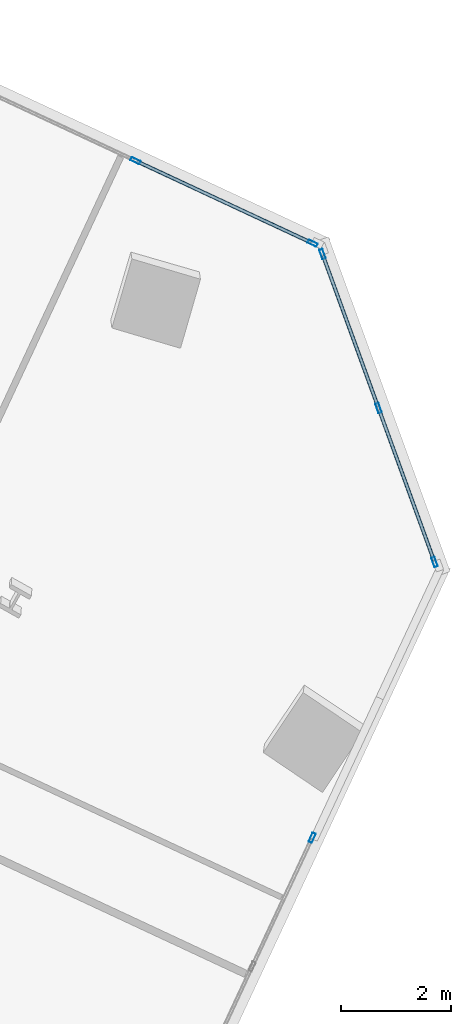
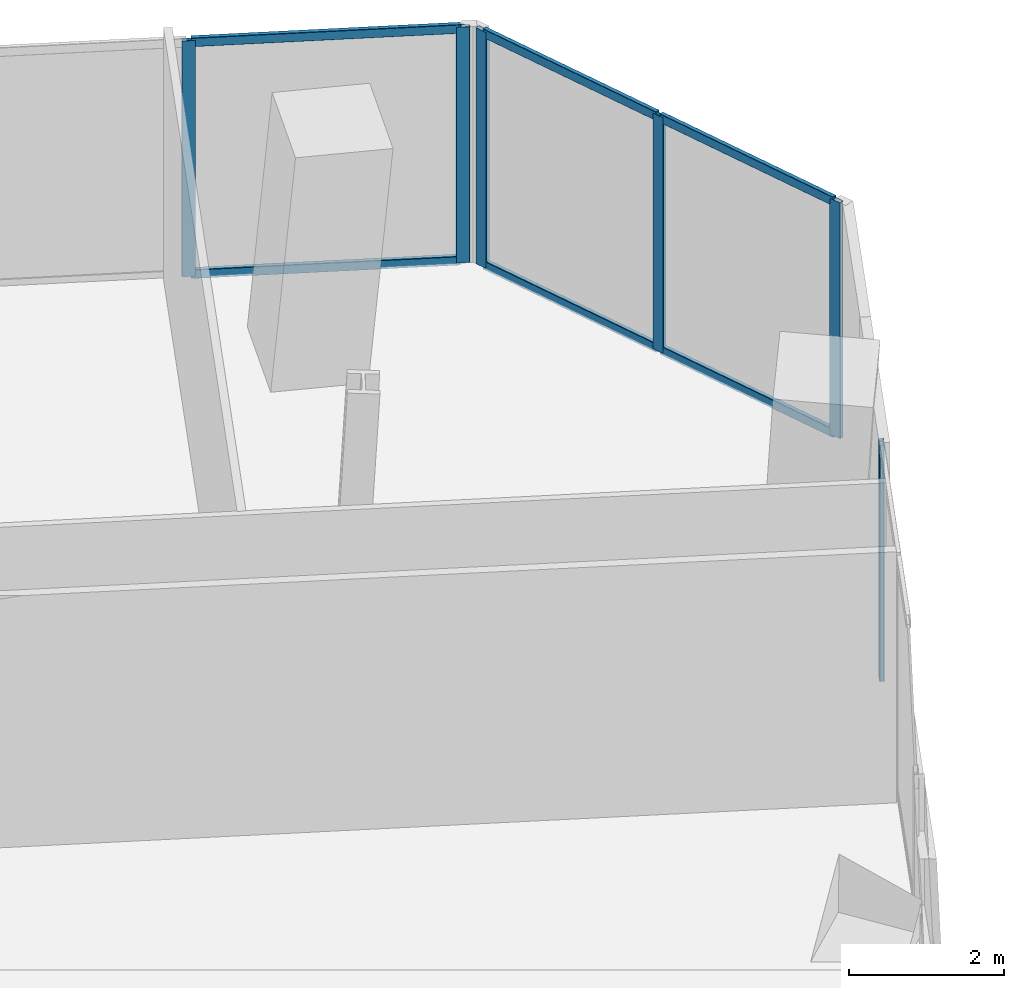
# One storey, part 10 of 23: 12 members, 3 elements without a shape of their own.
"""IFC4 building model written with IfcOpenShell, lengths in metres."""

from ifc_helpers import new_model, si_unit, direction, frame, origin, origin_2d, place, context, subcontext, project, spatial, hollow_rectangle, extrude, source, transform, mapped, material, material_profile, profile_set, type_object, element, aggregate, save


model = new_model("IFC4")

# Units and contexts
model_context = context("Model", 3, precision=1e-05, world=origin(), true_north=direction((0.0, 1.0)))
body_context = subcontext(model_context, "Body", "Model", "MODEL_VIEW")
ifc_project = project(units=[si_unit("LENGTHUNIT", "METRE"), si_unit("AREAUNIT", "SQUARE_METRE"), si_unit("VOLUMEUNIT", "CUBIC_METRE"), si_unit("PLANEANGLEUNIT", "RADIAN"), si_unit("MASSUNIT", "GRAM", prefix="KILO")], contexts=[model_context])

# Site, building, storey
site_placement = place(None, origin())
site = spatial("IfcSite", under=ifc_project, at=site_placement, CompositionType="ELEMENT")
building_placement = place(site_placement, origin())
building = spatial("IfcBuilding", under=site, at=building_placement, Name="Torre Montelarca", CompositionType="ELEMENT")
storey_placement = place(building_placement, frame((0.0, 0.0, 158.199951171875)))
storey = spatial("IfcBuildingStorey", under=building, at=storey_placement, Name="L35", CompositionType="ELEMENT", Elevation=158.199951171875)

# Curtain wall, members
ifc_material_1 = material(Name="Insulated low-E laminated glass", Category="glass")
curtain_wall_type = type_object("IfcCurtainWallType", Name="CW-SYS-Z2", PredefinedType="USERDEFINED", material=ifc_material_1)
curtain_wall_1_placement = place(storey_placement, origin())
curtain_wall_1 = element("IfcCurtainWall", 1, at=curtain_wall_1_placement, inside=storey, type_object=curtain_wall_type, Name="L35 Curtain Wall Run CW-T3-L35-E07-B1", ObjectType="UNITISED GLAZING", PredefinedType="USERDEFINED")
ifc_material_2 = material(Name="Anodised aluminium AA 6063-T6", Category="aluminium")
ifc_material_profile_1 = material_profile(ifc_material_2, hollow_rectangle(XDim=0.06494140625, YDim=0.139892578125, WallThickness=0.00390625, InnerFilletRadius=0.00390625, OuterFilletRadius=0.008056640625, at=origin_2d()), Name="ALU65X140X4", Category="aluminium")
ifc_profile_set_1 = profile_set([ifc_material_profile_1], Name="Anodised aluminium AA 6063-T6")
member_type_1 = type_object("IfcMemberType", Name="CWT-ALU140", PredefinedType="USERDEFINED", material=ifc_profile_set_1)
shared_shape_1 = source(origin(), body_context, "Body", "SweptSolid", [
    extrude(hollow_rectangle(XDim=0.06494140625, YDim=0.139892578125, WallThickness=0.00390625, InnerFilletRadius=0.00390625, OuterFilletRadius=0.008056640625, at=origin_2d()), origin(), (0.0, 0.0, 1.0), 2.918701171875),
])
member_1_placement = place(storey_placement, frame((51.076416015625, 31.196533203125, 0.032470703125), z_axis=(-0.342031842172, 0.939688362671, 0.0), x_axis=(-0.939688362671, -0.342031842172, 0.0)))
member_1 = element("IfcMember", 2, at=member_1_placement, type_object=member_type_1, Name="CW transom 1.1", ObjectType="TRANSOM", PredefinedType="USERDEFINED", context=body_context, shape_type="MappedRepresentation", body=[
    mapped(shared_shape_1, transform((0.0, 0.0, 0.0), scale=1.0)),
])
member_2_placement = place(storey_placement, frame((51.076416015625, 31.196533203125, 3.6875), z_axis=(-0.342031842172, 0.939688362671, 0.0), x_axis=(-0.939688362671, -0.342031842172, 0.0)))
member_2 = element("IfcMember", 3, at=member_2_placement, type_object=member_type_1, Name="CW transom 1.2", ObjectType="TRANSOM", PredefinedType="USERDEFINED", context=body_context, shape_type="MappedRepresentation", body=[
    mapped(shared_shape_1, transform((0.0, 0.0, 0.0), scale=1.0)),
])
shared_shape_2 = source(origin(), body_context, "Body", "SweptSolid", [
    extrude(hollow_rectangle(XDim=0.06494140625, YDim=0.139892578125, WallThickness=0.00390625, InnerFilletRadius=0.00390625, OuterFilletRadius=0.008056640625, at=origin_2d()), origin(), (0.0, 0.0, 1.0), 2.91845703125),
])
member_3_placement = place(storey_placement, frame((50.055908203125, 34.000244140625, 0.032470703125), z_axis=(-0.342058728513, 0.939678576029, 0.0), x_axis=(-0.939678576029, -0.342058728513, 0.0)))
member_3 = element("IfcMember", 4, at=member_3_placement, type_object=member_type_1, Name="CW transom 2.1", ObjectType="TRANSOM", PredefinedType="USERDEFINED", context=body_context, shape_type="MappedRepresentation", body=[
    mapped(shared_shape_2, transform((0.0, 0.0, 0.0), scale=1.0)),
])
member_4_placement = place(storey_placement, frame((50.055908203125, 34.000244140625, 3.6875), z_axis=(-0.342058728513, 0.939678576029, 0.0), x_axis=(-0.939678576029, -0.342058728513, 0.0)))
member_4 = element("IfcMember", 5, at=member_4_placement, type_object=member_type_1, Name="CW transom 2.2", ObjectType="TRANSOM", PredefinedType="USERDEFINED", context=body_context, shape_type="MappedRepresentation", body=[
    mapped(shared_shape_2, transform((0.0, 0.0, 0.0), scale=1.0)),
])

# Curtain wall, member
curtain_wall_2_placement = place(storey_placement, origin())
curtain_wall_2 = element("IfcCurtainWall", 6, at=curtain_wall_2_placement, inside=storey, type_object=curtain_wall_type, Name="L35 Curtain Wall Run CW-T3-L35-E06-B2", ObjectType="UNITISED GLAZING", PredefinedType="USERDEFINED")
ifc_material_profile_2 = material_profile(ifc_material_2, hollow_rectangle(XDim=0.06494140625, YDim=0.179931640625, WallThickness=0.00390625, InnerFilletRadius=0.00390625, OuterFilletRadius=0.008056640625, at=origin_2d()), Name="ALU65X180X4", Category="aluminium")
ifc_profile_set_2 = profile_set([ifc_material_profile_2], Name="Anodised aluminium AA 6063-T6")
member_type_2 = type_object("IfcMemberType", Name="CWM-ALU180", PredefinedType="MULLION", material=ifc_profile_set_2)
shared_shape_3 = source(origin(), body_context, "Body", "SweptSolid", [
    extrude(hollow_rectangle(XDim=0.06494140625, YDim=0.179931640625, WallThickness=0.00390625, InnerFilletRadius=0.00390625, OuterFilletRadius=0.008056640625, at=origin_2d()), origin(), (0.0, 0.0, 1.0), 3.719970703125),
])
member_5_placement = place(storey_placement, frame((48.859619140625, 26.146240234375, 0.0), z_axis=(0.0, 0.0, 1.0), x_axis=(-0.906304132546, 0.422626098733, 0.0)))
member_5 = element("IfcMember", 7, at=member_5_placement, type_object=member_type_2, Name="CW mullion 3", PredefinedType="MULLION", context=body_context, shape_type="MappedRepresentation", body=[
    mapped(shared_shape_3, transform((0.0, 0.0, 0.0), scale=1.0)),
])
aggregate(curtain_wall_2, [member_5])

# Member
member_6_placement = place(storey_placement, frame((51.08740234375, 31.166015625, 0.0), z_axis=(0.0, 0.0, 1.0), x_axis=(-0.939692220055, -0.342021244323, 0.0)))
member_6 = element("IfcMember", 8, at=member_6_placement, type_object=member_type_2, Name="CW mullion 1", PredefinedType="MULLION", context=body_context, shape_type="MappedRepresentation", body=[
    mapped(shared_shape_3, transform((0.0, 0.0, 0.0), scale=1.0)),
])

member_7_placement = place(storey_placement, frame((50.067138671875, 33.9697265625, 0.0), z_axis=(0.0, 0.0, 1.0), x_axis=(-0.939692220055, -0.342021244323, 0.0)))
member_7 = element("IfcMember", 9, at=member_7_placement, type_object=member_type_2, Name="CW mullion 2", PredefinedType="MULLION", context=body_context, shape_type="MappedRepresentation", body=[
    mapped(shared_shape_3, transform((0.0, 0.0, 0.0), scale=1.0)),
])

member_8_placement = place(storey_placement, frame((49.046630859375, 36.773193359375, 0.0), z_axis=(0.0, 0.0, 1.0), x_axis=(-0.939692220055, -0.342021244323, 0.0)))
member_8 = element("IfcMember", 10, at=member_8_placement, type_object=member_type_2, Name="CW mullion 3", PredefinedType="MULLION", context=body_context, shape_type="MappedRepresentation", body=[
    mapped(shared_shape_3, transform((0.0, 0.0, 0.0), scale=1.0)),
])

aggregate(curtain_wall_1, [member_6, member_7, member_8, member_1, member_2, member_3, member_4])

# Curtain wall, members
curtain_wall_3_placement = place(storey_placement, origin())
curtain_wall_3 = element("IfcCurtainWall", 11, at=curtain_wall_3_placement, inside=storey, type_object=curtain_wall_type, Name="L35 Curtain Wall Run CW-T3-L35-E08-B1", ObjectType="UNITISED GLAZING", PredefinedType="USERDEFINED")
member_9_placement = place(storey_placement, frame((48.8662109375, 36.97021484375, 0.0), z_axis=(0.0, 0.0, 1.0), x_axis=(-0.422609405176, -0.906311916868, 0.0)))
member_9 = element("IfcMember", 12, at=member_9_placement, type_object=member_type_2, Name="CW mullion 1", PredefinedType="MULLION", context=body_context, shape_type="MappedRepresentation", body=[
    mapped(shared_shape_3, transform((0.0, 0.0, 0.0), scale=1.0)),
])
member_10_placement = place(storey_placement, frame((45.642333984375, 38.473388671875, 0.0), z_axis=(0.0, 0.0, 1.0), x_axis=(-0.422609405176, -0.906311916868, 0.0)))
member_10 = element("IfcMember", 13, at=member_10_placement, type_object=member_type_2, Name="CW mullion 2", PredefinedType="MULLION", context=body_context, shape_type="MappedRepresentation", body=[
    mapped(shared_shape_3, transform((0.0, 0.0, 0.0), scale=1.0)),
])
shared_shape_4 = source(origin(), body_context, "Body", "SweptSolid", [
    extrude(hollow_rectangle(XDim=0.06494140625, YDim=0.139892578125, WallThickness=0.00390625, InnerFilletRadius=0.00390625, OuterFilletRadius=0.008056640625, at=origin_2d()), origin(), (0.0, 0.0, 1.0), 3.491943359375),
])
member_11_placement = place(storey_placement, frame((48.836669921875, 36.98388671875, 0.032470703125), z_axis=(-0.906300989731, 0.422632838303, 0.0), x_axis=(-0.422632838303, -0.906300989731, 0.0)))
member_11 = element("IfcMember", 14, at=member_11_placement, type_object=member_type_1, Name="CW transom 1.1", ObjectType="TRANSOM", PredefinedType="USERDEFINED", context=body_context, shape_type="MappedRepresentation", body=[
    mapped(shared_shape_4, transform((0.0, 0.0, 0.0), scale=1.0)),
])
member_12_placement = place(storey_placement, frame((48.836669921875, 36.98388671875, 3.6875), z_axis=(-0.906300989731, 0.422632838303, 0.0), x_axis=(-0.422632838303, -0.906300989731, 0.0)))
member_12 = element("IfcMember", 15, at=member_12_placement, type_object=member_type_1, Name="CW transom 1.2", ObjectType="TRANSOM", PredefinedType="USERDEFINED", context=body_context, shape_type="MappedRepresentation", body=[
    mapped(shared_shape_4, transform((0.0, 0.0, 0.0), scale=1.0)),
])
aggregate(curtain_wall_3, [member_9, member_10, member_11, member_12])

save(model, "model.ifc")
